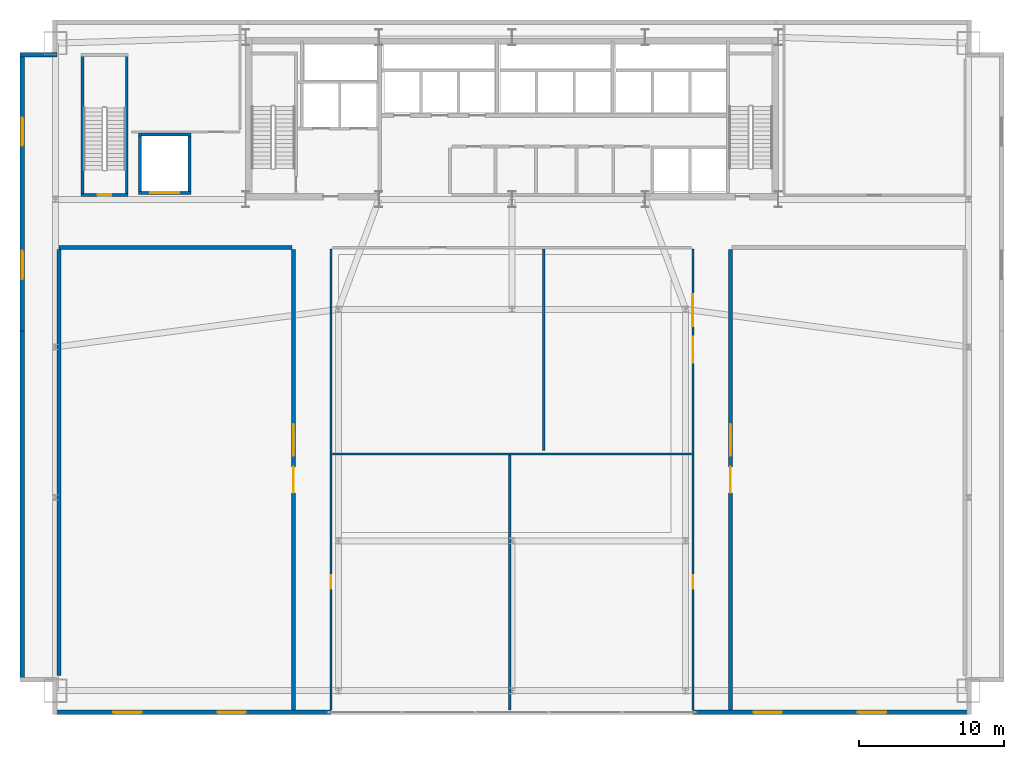
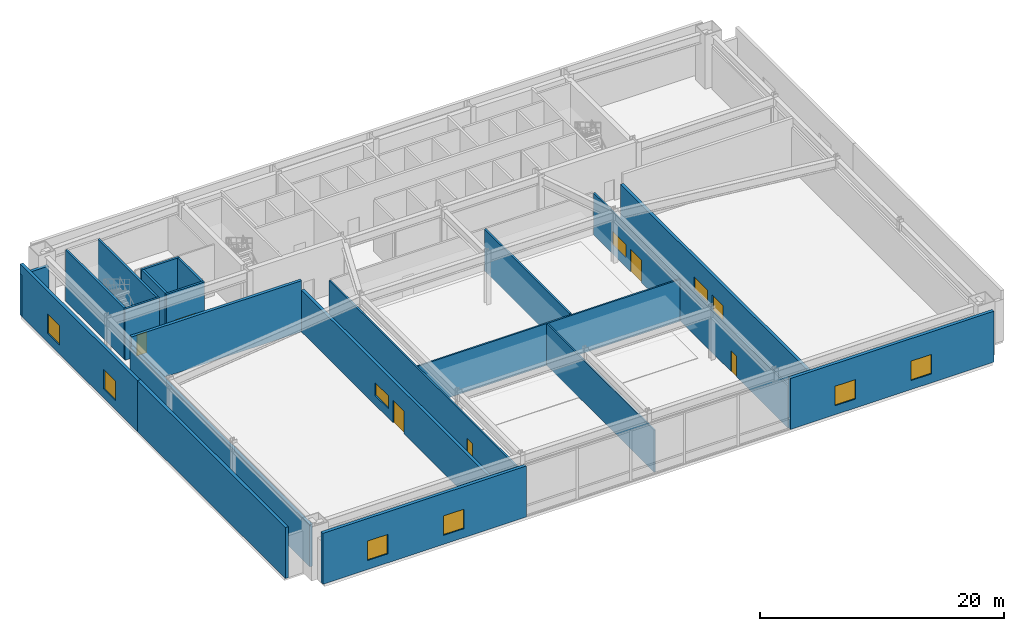
# One storey, part 8 of 12: 21 walls, 9 windows, 7 doors, 16 openings.
"""IFC4 building model written with IfcOpenShell, lengths in metres."""

from ifc_helpers import new_model, si_unit, direction, frame, frame_2d, origin, place, context, subcontext, project, spatial, rectangle, extrude, source, transform, mapped, material, layer, layer_set, type_object, type_shapes, element, fill, save


model = new_model("IFC4")

# Units and contexts
model_context = context("Model", 3, precision=1e-05, world=origin(), true_north=direction((0.0, 1.0)))
body_context = subcontext(model_context, "Body", "Model", "MODEL_VIEW")
ifc_project = project(units=[si_unit("LENGTHUNIT", "METRE"), si_unit("AREAUNIT", "SQUARE_METRE"), si_unit("VOLUMEUNIT", "CUBIC_METRE"), si_unit("PLANEANGLEUNIT", "RADIAN"), si_unit("MASSUNIT", "GRAM", prefix="KILO")], contexts=[model_context])

# Site, building, storey
site_placement = place(None, origin())
site = spatial("IfcSite", under=ifc_project, at=site_placement, CompositionType="ELEMENT")
building_placement = place(site_placement, origin())
building = spatial("IfcBuilding", under=site, at=building_placement, Name="Varnel Quay Broadcast Tower", CompositionType="ELEMENT")
storey_placement = place(building_placement, frame((0.0, 0.0, 11.39990234375)))
storey = spatial("IfcBuildingStorey", under=building, at=storey_placement, Name="L02", CompositionType="ELEMENT", Elevation=11.39990234375)

# Walls
ifc_material_1 = material(Name="Concrete CSA A23.3 C50/60", Category="concrete")
ifc_layer_1 = layer(ifc_material_1, 0.199951171875, Name="Concrete CSA A23.3 C50/60")
ifc_layer_set_1 = layer_set([ifc_layer_1], Name="Concrete CSA A23.3 C50/60")
wall_type_1 = type_object("IfcWallType", Name="Wall_CoreShaftShear200", PredefinedType="SHEAR", material=ifc_layer_set_1)
for number, where, z_axis, x_axis, name in (
    (1, (4.320068359375, 36.0, 0.0), (0.0, 0.0, 1.0), (0.0, 1.0, 0.0), "L02 Podium Stair 3 W Structural Wall"),
    (2, (7.3798828125, 36.0, 0.0), (0.0, 0.0, 1.0), (0.0, 1.0, 0.0), "L02 Podium Stair 3 E Structural Wall"),
):
    element("IfcWall", number, at=place(storey_placement, frame(where, z_axis=z_axis, x_axis=x_axis)), inside=storey, type_object=wall_type_1, Name=name, PredefinedType="SHEAR", context=body_context, shape_type="SweptSolid", body=[
        extrude(rectangle(XDim=9.60009765625, YDim=0.199951171875, at=frame_2d((4.800048828125, 0.0))), origin(), (0.0, 0.0, 1.0), 5.1201171875),
    ])

# Wall, opening, door
wall_1_placement = place(storey_placement, frame((4.219970703125, 35.919921875, 0.0), z_axis=(0.0, 0.0, 1.0), x_axis=(1.0, 0.0, 0.0)))
wall_1 = element("IfcWall", 3, at=wall_1_placement, inside=storey, type_object=wall_type_1, Name="L02 Podium Stair 3 South Structural Wall", PredefinedType="SHEAR", context=body_context, shape_type="SweptSolid", body=[
    extrude(rectangle(XDim=3.260009765625, YDim=0.199951171875, at=frame_2d((1.6298828125, 0.0))), origin(), (0.0, 0.0, 1.0), 5.1201171875),
])
opening_1_placement = place(wall_1_placement, frame((1.14990234375, 0.0, 0.0)))
opening_1 = element("IfcOpeningElement", 4, at=opening_1_placement, cuts=wall_1, Name="Opening D-L02-S3", PredefinedType="OPENING", context=body_context, shape_type="SweptSolid", body=[
    extrude(rectangle(XDim=0.949951171875, YDim=2.10009765625, at=frame_2d((0.47509765625, 1.050048828125))), frame((0.0, 0.10986328125, 0.0), z_axis=(0.0, -1.0, 0.0), x_axis=(1.0, 0.0, 0.0)), (0.0, 0.0, 1.0), 0.219970703125),
])
ifc_material_2 = material(Name="Insulated Fire-Rated Hollow Steel Door", Category="steel")
door_type_1 = type_object("IfcDoorType", Name="Door_FireStair950", OperationType="NOTDEFINED", PredefinedType="DOOR", material=ifc_material_2)
shared_shape_1 = source(origin(), body_context, "Body", "SweptSolid", [
    extrude(rectangle(XDim=0.949951171875, YDim=2.10009765625, at=frame_2d((0.47509765625, 1.050048828125))), frame((0.0, 0.02490234375, 0.0), z_axis=(0.0, -1.0, 0.0), x_axis=(1.0, 0.0, 0.0)), (0.0, 0.0, 1.0), 0.050048828125),
])
type_shapes(door_type_1, [shared_shape_1])
door_1_placement = place(opening_1_placement, origin())
door_1 = element("IfcDoor", 5, at=door_1_placement, inside=storey, type_object=door_type_1, Name="L02 Podium Stair 3 Fire Door", OperationType="SINGLE_SWING_LEFT", OverallHeight=2.10009765625, OverallWidth=0.949951171875, PredefinedType="DOOR", context=body_context, shape_type="MappedRepresentation", body=[
    mapped(shared_shape_1, transform((0.0, 0.0, 0.0), x_axis=(1.0, 0.0, 0.0), y_axis=(0.0, 1.0, 0.0), z_axis=(0.0, 0.0, 1.0), scale=1.0)),
])
fill(opening_1, door_1)

# Walls
for number, where, z_axis, x_axis, name in (
    (6, (8.300048828125, 36.14990234375, 0.0), (0.0, 0.0, 1.0), (0.0, 1.0, 0.0), "L02 Freight Lift Shaft W Wall"),
    (7, (11.699951171875, 36.14990234375, 0.0), (0.0, 0.0, 1.0), (0.0, 1.0, 0.0), "L02 Freight Lift Shaft E Wall"),
):
    element("IfcWall", number, at=place(storey_placement, frame(where, z_axis=z_axis, x_axis=x_axis)), inside=storey, type_object=wall_type_1, Name=name, PredefinedType="SHEAR", context=body_context, shape_type="SweptSolid", body=[
        extrude(rectangle(XDim=3.85009765625, YDim=0.199951171875, at=frame_2d((1.925048828125, 0.0))), origin(), (0.0, 0.0, 1.0), 5.1201171875),
    ])
wall_2_placement = place(storey_placement, frame((8.199951171875, 40.10009765625, 0.0), z_axis=(0.0, 0.0, 1.0), x_axis=(1.0, 0.0, 0.0)))
element("IfcWall", 8, at=wall_2_placement, inside=storey, type_object=wall_type_1, Name="L02 Freight Lift Shaft N Wall", PredefinedType="SHEAR", context=body_context, shape_type="SweptSolid", body=[
    extrude(rectangle(XDim=3.60009765625, YDim=0.199951171875, at=frame_2d((1.800048828125, 0.0))), origin(), (0.0, 0.0, 1.0), 5.1201171875),
])

# Wall, opening, door
wall_3_placement = place(storey_placement, frame((8.199951171875, 36.050048828125, 0.0), z_axis=(0.0, 0.0, 1.0), x_axis=(1.0, 0.0, 0.0)))
wall_3 = element("IfcWall", 9, at=wall_3_placement, inside=storey, type_object=wall_type_1, Name="L02 Studio Freight Lift Front Wall", PredefinedType="SHEAR", context=body_context, shape_type="SweptSolid", body=[
    extrude(rectangle(XDim=3.60009765625, YDim=0.199951171875, at=frame_2d((1.800048828125, 0.0))), origin(), (0.0, 0.0, 1.0), 5.1201171875),
])
opening_2_placement = place(wall_3_placement, frame((0.800048828125, 0.0, 0.0)))
opening_2 = element("IfcOpeningElement", 10, at=opening_2_placement, cuts=wall_3, Name="Opening LD-L02-BF1", PredefinedType="OPENING", context=body_context, shape_type="SweptSolid", body=[
    extrude(rectangle(XDim=2.0, YDim=2.280029296875, at=frame_2d((1.0, 1.14013671875))), frame((0.0, 0.10986328125, 0.0), z_axis=(0.0, -1.0, 0.0), x_axis=(1.0, 0.0, 0.0)), (0.0, 0.0, 1.0), 0.219970703125),
])
ifc_material_3 = material(Name="Brushed Bronze-Stainless Lift Car & Sliding Doors", Category="steel")
door_type_2 = type_object("IfcDoorType", Name="Door_FreightLanding2000", OperationType="DOUBLE_DOOR_SLIDING", PredefinedType="DOOR", material=ifc_material_3)
shared_shape_2 = source(origin(), body_context, "Body", "SweptSolid", [
    extrude(rectangle(XDim=2.0, YDim=2.280029296875, at=frame_2d((1.0, 1.14013671875))), frame((0.0, 0.02490234375, 0.0), z_axis=(0.0, -1.0, 0.0), x_axis=(1.0, 0.0, 0.0)), (0.0, 0.0, 1.0), 0.050048828125),
])
type_shapes(door_type_2, [shared_shape_2])
door_2_placement = place(opening_2_placement, frame((2.0, 0.0, 0.0), z_axis=(0.0, 0.0, 1.0), x_axis=(-1.0, 0.0, 0.0)))
door_2 = element("IfcDoor", 11, at=door_2_placement, inside=storey, type_object=door_type_2, Name="L02 Freight Lift BF-01 Landing Door", OperationType="DOUBLE_DOOR_SLIDING", OverallHeight=2.280029296875, OverallWidth=2.0, PredefinedType="DOOR", context=body_context, shape_type="MappedRepresentation", body=[
    mapped(shared_shape_2, transform((0.0, 0.0, 0.0), x_axis=(1.0, 0.0, 0.0), y_axis=(0.0, 1.0, 0.0), z_axis=(0.0, 0.0, 1.0), scale=1.0)),
])
fill(opening_2, door_2)

# Wall, openings, windows
ifc_material_4 = material(Name="Precast Architectural Concrete C40/50", Category="concrete")
ifc_layer_2 = layer(ifc_material_4, 0.300048828125, Name="Precast Architectural Concrete C40/50")
ifc_layer_set_2 = layer_set([ifc_layer_2], Name="Precast Architectural Concrete C40/50")
wall_type_2 = type_object("IfcWallType", Name="Wall_ExtPodium300", PredefinedType="SOLIDWALL", material=ifc_layer_set_2)
wall_4_placement = place(storey_placement, frame((2.25, 0.14990234375, 0.0), z_axis=(0.0, 0.0, 1.0), x_axis=(1.0, 0.0, 0.0)))
wall_4 = element("IfcWall", 12, at=wall_4_placement, inside=storey, type_object=wall_type_2, Name="L02 Podium Acoustic Exterior Wall SW", PredefinedType="SOLIDWALL", context=body_context, shape_type="SweptSolid", body=[
    extrude(rectangle(XDim=19.25, YDim=0.300048828125, at=frame_2d((9.625, 0.0))), origin(), (0.0, 0.0, 1.0), 5.10009765625),
])
opening_3_placement = place(wall_4_placement, frame((4.199951171875, 0.0, 0.89990234375)))
opening_3 = element("IfcOpeningElement", 13, at=opening_3_placement, cuts=wall_4, Name="Opening W-04", PredefinedType="OPENING", context=body_context, shape_type="SweptSolid", body=[
    extrude(rectangle(XDim=1.949951171875, YDim=1.949951171875, at=frame_2d((0.97509765625, 0.97509765625))), frame((0.0, 0.16015625, 0.0), z_axis=(0.0, -1.0, 0.0), x_axis=(1.0, 0.0, 0.0)), (0.0, 0.0, 1.0), 0.320068359375),
])
opening_4_placement = place(wall_4_placement, frame((11.39990234375, 0.0, 0.89990234375)))
opening_4 = element("IfcOpeningElement", 14, at=opening_4_placement, cuts=wall_4, Name="Opening W-04", PredefinedType="OPENING", context=body_context, shape_type="SweptSolid", body=[
    extrude(rectangle(XDim=1.949951171875, YDim=1.949951171875, at=frame_2d((0.97509765625, 0.97509765625))), frame((0.0, 0.16015625, 0.0), z_axis=(0.0, -1.0, 0.0), x_axis=(1.0, 0.0, 0.0)), (0.0, 0.0, 1.0), 0.320068359375),
])
ifc_material_5 = material(Name="Triple-Glazed Bronze Low-E Architectural Glass", Category="glass")
window_type_1 = type_object("IfcWindowType", Name="Win_PodiumControl1950", PartitioningType="SINGLE_PANEL", PredefinedType="WINDOW", material=ifc_material_5)
shared_shape_3 = source(origin(), body_context, "Body", "SweptSolid", [
    extrude(rectangle(XDim=1.949951171875, YDim=1.949951171875, at=frame_2d((0.97509765625, 0.97509765625))), frame((0.0, 0.030029296875, 0.0), z_axis=(0.0, -1.0, 0.0), x_axis=(1.0, 0.0, 0.0)), (0.0, 0.0, 1.0), 0.06005859375),
])
type_shapes(window_type_1, [shared_shape_3])
window_1_placement = place(opening_3_placement, origin())
window_1 = element("IfcWindow", 15, at=window_1_placement, inside=storey, type_object=window_type_1, Name="L02 Podium Window SW-1", OverallHeight=1.949951171875, OverallWidth=1.949951171875, PartitioningType="SINGLE_PANEL", PredefinedType="WINDOW", context=body_context, shape_type="MappedRepresentation", body=[
    mapped(shared_shape_3, transform((0.0, 0.0, 0.0), x_axis=(1.0, 0.0, 0.0), y_axis=(0.0, 1.0, 0.0), z_axis=(0.0, 0.0, 1.0), scale=1.0)),
])
fill(opening_3, window_1)
window_2_placement = place(opening_4_placement, origin())
window_2 = element("IfcWindow", 16, at=window_2_placement, inside=storey, type_object=window_type_1, Name="L02 Podium Window SW-2", OverallHeight=1.949951171875, OverallWidth=1.949951171875, PartitioningType="SINGLE_PANEL", PredefinedType="WINDOW", context=body_context, shape_type="MappedRepresentation", body=[
    mapped(shared_shape_3, transform((0.0, 0.0, 0.0), x_axis=(1.0, 0.0, 0.0), y_axis=(0.0, 1.0, 0.0), z_axis=(0.0, 0.0, 1.0), scale=1.0)),
])
fill(opening_4, window_2)

wall_5_placement = place(storey_placement, frame((46.5, 0.14990234375, 0.0), z_axis=(0.0, 0.0, 1.0), x_axis=(1.0, 0.0, 0.0)))
wall_5 = element("IfcWall", 17, at=wall_5_placement, inside=storey, type_object=wall_type_2, Name="L02 Podium Acoustic Exterior Wall SE", PredefinedType="SOLIDWALL", context=body_context, shape_type="SweptSolid", body=[
    extrude(rectangle(XDim=19.25, YDim=0.300048828125, at=frame_2d((9.625, 0.0))), origin(), (0.0, 0.0, 1.0), 5.10009765625),
])
opening_5_placement = place(wall_5_placement, frame((4.199951171875, 0.0, 0.89990234375)))
opening_5 = element("IfcOpeningElement", 18, at=opening_5_placement, cuts=wall_5, Name="Opening W-04", PredefinedType="OPENING", context=body_context, shape_type="SweptSolid", body=[
    extrude(rectangle(XDim=1.949951171875, YDim=1.949951171875, at=frame_2d((0.97509765625, 0.97509765625))), frame((0.0, 0.16015625, 0.0), z_axis=(0.0, -1.0, 0.0), x_axis=(1.0, 0.0, 0.0)), (0.0, 0.0, 1.0), 0.320068359375),
])
opening_6_placement = place(wall_5_placement, frame((11.39990234375, 0.0, 0.89990234375)))
opening_6 = element("IfcOpeningElement", 19, at=opening_6_placement, cuts=wall_5, Name="Opening W-04", PredefinedType="OPENING", context=body_context, shape_type="SweptSolid", body=[
    extrude(rectangle(XDim=1.949951171875, YDim=1.949951171875, at=frame_2d((0.97509765625, 0.97509765625))), frame((0.0, 0.16015625, 0.0), z_axis=(0.0, -1.0, 0.0), x_axis=(1.0, 0.0, 0.0)), (0.0, 0.0, 1.0), 0.320068359375),
])
window_3_placement = place(opening_5_placement, origin())
window_3 = element("IfcWindow", 20, at=window_3_placement, inside=storey, type_object=window_type_1, Name="L02 Podium Window SE-1", OverallHeight=1.949951171875, OverallWidth=1.949951171875, PartitioningType="SINGLE_PANEL", PredefinedType="WINDOW", context=body_context, shape_type="MappedRepresentation", body=[
    mapped(shared_shape_3, transform((0.0, 0.0, 0.0), x_axis=(1.0, 0.0, 0.0), y_axis=(0.0, 1.0, 0.0), z_axis=(0.0, 0.0, 1.0), scale=1.0)),
])
fill(opening_5, window_3)
window_4_placement = place(opening_6_placement, origin())
window_4 = element("IfcWindow", 21, at=window_4_placement, inside=storey, type_object=window_type_1, Name="L02 Podium Window SE-2", OverallHeight=1.949951171875, OverallWidth=1.949951171875, PartitioningType="SINGLE_PANEL", PredefinedType="WINDOW", context=body_context, shape_type="MappedRepresentation", body=[
    mapped(shared_shape_3, transform((0.0, 0.0, 0.0), x_axis=(1.0, 0.0, 0.0), y_axis=(0.0, 1.0, 0.0), z_axis=(0.0, 0.0, 1.0), scale=1.0)),
])
fill(opening_6, window_4)

# Wall
wall_6_placement = place(storey_placement, frame((0.14990234375, 2.25, 0.0), z_axis=(0.0, 0.0, 1.0), x_axis=(0.0, 1.0, 0.0)))
element("IfcWall", 22, at=wall_6_placement, inside=storey, type_object=wall_type_2, Name="L02 Podium Acoustic Exterior Wall W1", PredefinedType="SOLIDWALL", context=body_context, shape_type="SweptSolid", body=[
    extrude(rectangle(XDim=24.35009765625, YDim=0.300048828125, at=frame_2d((12.175048828125, 0.0))), origin(), (0.0, 0.0, 1.0), 5.10009765625),
])

# Wall, openings, windows
wall_7_placement = place(storey_placement, frame((0.14990234375, 26.5, 0.0), z_axis=(0.0, 0.0, 1.0), x_axis=(0.0, 1.0, 0.0)))
wall_7 = element("IfcWall", 23, at=wall_7_placement, inside=storey, type_object=wall_type_2, Name="L02 Podium Acoustic Exterior Wall W2", PredefinedType="SOLIDWALL", context=body_context, shape_type="SweptSolid", body=[
    extrude(rectangle(XDim=19.25, YDim=0.300048828125, at=frame_2d((9.625, 0.0))), origin(), (0.0, 0.0, 1.0), 5.10009765625),
])
opening_7_placement = place(wall_7_placement, frame((3.60009765625, 0.0, 0.89990234375)))
opening_7 = element("IfcOpeningElement", 24, at=opening_7_placement, cuts=wall_7, Name="Opening W-04", PredefinedType="OPENING", context=body_context, shape_type="SweptSolid", body=[
    extrude(rectangle(XDim=1.949951171875, YDim=1.949951171875, at=frame_2d((0.97509765625, 0.97509765625))), frame((0.0, 0.16015625, 0.0), z_axis=(0.0, -1.0, 0.0), x_axis=(1.0, 0.0, 0.0)), (0.0, 0.0, 1.0), 0.320068359375),
])
opening_8_placement = place(wall_7_placement, frame((12.800048828125, 0.0, 0.89990234375)))
opening_8 = element("IfcOpeningElement", 25, at=opening_8_placement, cuts=wall_7, Name="Opening W-04", PredefinedType="OPENING", context=body_context, shape_type="SweptSolid", body=[
    extrude(rectangle(XDim=1.949951171875, YDim=1.949951171875, at=frame_2d((0.97509765625, 0.97509765625))), frame((0.0, 0.16015625, 0.0), z_axis=(0.0, -1.0, 0.0), x_axis=(1.0, 0.0, 0.0)), (0.0, 0.0, 1.0), 0.320068359375),
])
window_5_placement = place(opening_7_placement, origin())
window_5 = element("IfcWindow", 26, at=window_5_placement, inside=storey, type_object=window_type_1, Name="L02 Podium Window W2-1", OverallHeight=1.949951171875, OverallWidth=1.949951171875, PartitioningType="SINGLE_PANEL", PredefinedType="WINDOW", context=body_context, shape_type="MappedRepresentation", body=[
    mapped(shared_shape_3, transform((0.0, 0.0, 0.0), x_axis=(1.0, 0.0, 0.0), y_axis=(0.0, 1.0, 0.0), z_axis=(0.0, 0.0, 1.0), scale=1.0)),
])
fill(opening_7, window_5)
window_6_placement = place(opening_8_placement, origin())
window_6 = element("IfcWindow", 27, at=window_6_placement, inside=storey, type_object=window_type_1, Name="L02 Podium Window W2-2", OverallHeight=1.949951171875, OverallWidth=1.949951171875, PartitioningType="SINGLE_PANEL", PredefinedType="WINDOW", context=body_context, shape_type="MappedRepresentation", body=[
    mapped(shared_shape_3, transform((0.0, 0.0, 0.0), x_axis=(1.0, 0.0, 0.0), y_axis=(0.0, 1.0, 0.0), z_axis=(0.0, 0.0, 1.0), scale=1.0)),
])
fill(opening_8, window_6)

# Walls
wall_8_placement = place(storey_placement, frame((0.0, 45.60009765625, 0.0), z_axis=(0.0, 0.0, 1.0), x_axis=(1.0, 0.0, 0.0)))
element("IfcWall", 28, at=wall_8_placement, inside=storey, type_object=wall_type_2, Name="L02 Podium Acoustic Exterior Wall NNW1", PredefinedType="SOLIDWALL", context=body_context, shape_type="SweptSolid", body=[
    extrude(rectangle(XDim=2.550048828125, YDim=0.300048828125, at=frame_2d((1.27490234375, 0.0))), origin(), (0.0, 0.0, 1.0), 4.18310546875),
])
ifc_material_6 = material(Name="Steel-Stud Fire-Rated Acoustic Gypsum Partition Assembly", Category="steel")
ifc_layer_3 = layer(ifc_material_6, 0.14990234375, Name="Steel-Stud Fire-Rated Acoustic Gypsum Partition Assembly")
ifc_layer_set_3 = layer_set([ifc_layer_3], Name="Steel-Stud Fire-Rated Acoustic Gypsum Partition Assembly")
wall_type_3 = type_object("IfcWallType", Name="Wall_Partition150", PredefinedType="PARTITIONING", material=ifc_layer_set_3)
wall_9_placement = place(storey_placement, frame((33.85009765625, 0.31005859375, 0.0), z_axis=(0.0, 0.0, 1.0), x_axis=(0.0, 1.0, 0.0)))
element("IfcWall", 29, at=wall_9_placement, inside=storey, type_object=wall_type_3, Name="L02 Master Broadcast Control Office Partition 14", PredefinedType="PARTITIONING", context=body_context, shape_type="SweptSolid", body=[
    extrude(rectangle(XDim=17.614990234375, YDim=0.14990234375, at=frame_2d((8.8076171875, 0.0))), origin(), (0.0, 0.0, 1.0), 4.18310546875),
])
wall_10_placement = place(storey_placement, frame((21.60009765625, 18.0, 0.0), z_axis=(0.0, 0.0, 1.0), x_axis=(1.0, 0.0, 0.0)))
element("IfcWall", 30, at=wall_10_placement, inside=storey, type_object=wall_type_3, Name="L02 Master Broadcast Control Office Partition 15", PredefinedType="PARTITIONING", context=body_context, shape_type="SweptSolid", body=[
    extrude(rectangle(XDim=24.7998046875, YDim=0.14990234375, at=frame_2d((12.39990234375, 0.0))), origin(), (0.0, 0.0, 1.0), 4.18310546875),
])

# Wall, opening, door
wall_11_placement = place(storey_placement, frame((21.5, 0.31005859375, 0.0), z_axis=(0.0, 0.0, 1.0), x_axis=(0.0, 1.0, 0.0)))
wall_11 = element("IfcWall", 31, at=wall_11_placement, inside=storey, type_object=wall_type_3, Name="L02 Master Broadcast Control Office Partition 16", PredefinedType="PARTITIONING", context=body_context, shape_type="SweptSolid", body=[
    extrude(rectangle(XDim=31.8779296875, YDim=0.14990234375, at=frame_2d((15.93896484375, 0.0))), origin(), (0.0, 0.0, 1.0), 4.18310546875),
])
opening_9_placement = place(wall_11_placement, frame((8.385009765625, 0.0, 0.0)))
opening_9 = element("IfcOpeningElement", 32, at=opening_9_placement, cuts=wall_11, Name="Opening D-L02-08", PredefinedType="OPENING", context=body_context, shape_type="SweptSolid", body=[
    extrude(rectangle(XDim=0.919921875, YDim=2.080078125, at=frame_2d((0.4599609375, 1.0400390625))), frame((0.0, 0.0849609375, 0.0), z_axis=(0.0, -1.0, 0.0), x_axis=(1.0, 0.0, 0.0)), (0.0, 0.0, 1.0), 0.169921875),
])
ifc_material_7 = material(Name="Solid-Core Fire-Rated Acoustic Oak Veneer Door", Category="wood")
door_type_3 = type_object("IfcDoorType", Name="Door_Office920", OperationType="NOTDEFINED", PredefinedType="DOOR", material=ifc_material_7)
shared_shape_4 = source(origin(), body_context, "Body", "SweptSolid", [
    extrude(rectangle(XDim=0.919921875, YDim=2.080078125, at=frame_2d((0.4599609375, 1.0400390625))), frame((0.0, 0.02490234375, 0.0), z_axis=(0.0, -1.0, 0.0), x_axis=(1.0, 0.0, 0.0)), (0.0, 0.0, 1.0), 0.050048828125),
])
type_shapes(door_type_3, [shared_shape_4])
door_3_placement = place(opening_9_placement, frame((0.919921875, 0.0, 0.0), z_axis=(0.0, 0.0, 1.0), x_axis=(-1.0, 0.0, 0.0)))
door_3 = element("IfcDoor", 33, at=door_3_placement, inside=storey, type_object=door_type_3, Name="L02 Master Broadcast Control Office Door D-L02-08", OperationType="SINGLE_SWING_LEFT", OverallHeight=2.080078125, OverallWidth=0.919921875, PredefinedType="DOOR", context=body_context, shape_type="MappedRepresentation", body=[
    mapped(shared_shape_4, transform((0.0, 0.0, 0.0), x_axis=(1.0, 0.0, 0.0), y_axis=(0.0, 1.0, 0.0), z_axis=(0.0, 0.0, 1.0), scale=1.0)),
])
fill(opening_9, door_3)

# Wall, openings, doors, window
wall_12_placement = place(storey_placement, frame((46.5, 0.31005859375, 0.0), z_axis=(0.0, 0.0, 1.0), x_axis=(0.0, 1.0, 0.0)))
wall_12 = element("IfcWall", 34, at=wall_12_placement, inside=storey, type_object=wall_type_3, Name="L02 Central Satellite Ingest Office Partition 17", PredefinedType="PARTITIONING", context=body_context, shape_type="SweptSolid", body=[
    extrude(rectangle(XDim=31.8779296875, YDim=0.14990234375, at=frame_2d((15.93896484375, 0.0))), origin(), (0.0, 0.0, 1.0), 4.18310546875),
])
opening_10_placement = place(wall_12_placement, frame((8.385009765625, 0.0, 0.0)))
opening_10 = element("IfcOpeningElement", 35, at=opening_10_placement, cuts=wall_12, Name="Opening D-L02-09", PredefinedType="OPENING", context=body_context, shape_type="SweptSolid", body=[
    extrude(rectangle(XDim=0.919921875, YDim=2.080078125, at=frame_2d((0.4599609375, 1.0400390625))), frame((0.0, 0.0849609375, 0.0), z_axis=(0.0, -1.0, 0.0), x_axis=(1.0, 0.0, 0.0)), (0.0, 0.0, 1.0), 0.169921875),
])
opening_11_placement = place(wall_12_placement, frame((23.989990234375, 0.0, 0.0)))
opening_11 = element("IfcOpeningElement", 36, at=opening_11_placement, cuts=wall_12, Name="Opening D-L02-11", PredefinedType="OPENING", context=body_context, shape_type="SweptSolid", body=[
    extrude(rectangle(XDim=1.800048828125, YDim=2.25, at=frame_2d((0.89990234375, 1.125))), frame((0.0, 0.0849609375, 0.0), z_axis=(0.0, -1.0, 0.0), x_axis=(1.0, 0.0, 0.0)), (0.0, 0.0, 1.0), 0.169921875),
])
opening_12_placement = place(wall_12_placement, frame((26.5400390625, 0.0, 0.949951171875)))
opening_12 = element("IfcOpeningElement", 37, at=opening_12_placement, cuts=wall_12, Name="Opening W-INT01", PredefinedType="OPENING", context=body_context, shape_type="SweptSolid", body=[
    extrude(rectangle(XDim=2.199951171875, YDim=1.300048828125, at=frame_2d((1.10009765625, 0.64990234375))), frame((0.0, 0.0849609375, 0.0), z_axis=(0.0, -1.0, 0.0), x_axis=(1.0, 0.0, 0.0)), (0.0, 0.0, 1.0), 0.169921875),
])
door_4_placement = place(opening_10_placement, origin())
door_4 = element("IfcDoor", 38, at=door_4_placement, inside=storey, type_object=door_type_3, Name="L02 Central Satellite Ingest Office Door D-L02-09", OperationType="SINGLE_SWING_RIGHT", OverallHeight=2.080078125, OverallWidth=0.919921875, PredefinedType="DOOR", context=body_context, shape_type="MappedRepresentation", body=[
    mapped(shared_shape_4, transform((0.0, 0.0, 0.0), x_axis=(1.0, 0.0, 0.0), y_axis=(0.0, 1.0, 0.0), z_axis=(0.0, 0.0, 1.0), scale=1.0)),
])
fill(opening_10, door_4)
door_type_4 = type_object("IfcDoorType", Name="Door_StudioSound1800", OperationType="DOUBLE_DOOR_SINGLE_SWING", PredefinedType="DOOR", material=ifc_material_2)
shared_shape_5 = source(origin(), body_context, "Body", "SweptSolid", [
    extrude(rectangle(XDim=1.800048828125, YDim=2.25, at=frame_2d((0.89990234375, 1.125))), frame((0.0, 0.02490234375, 0.0), z_axis=(0.0, -1.0, 0.0), x_axis=(1.0, 0.0, 0.0)), (0.0, 0.0, 1.0), 0.050048828125),
])
type_shapes(door_type_4, [shared_shape_5])
door_5_placement = place(opening_11_placement, origin())
door_5 = element("IfcDoor", 39, at=door_5_placement, inside=storey, type_object=door_type_4, Name="L02 Studio Crew Dining Kitchen Door D-L02-11", OperationType="DOUBLE_DOOR_SINGLE_SWING", OverallHeight=2.25, OverallWidth=1.800048828125, PredefinedType="DOOR", context=body_context, shape_type="MappedRepresentation", body=[
    mapped(shared_shape_5, transform((0.0, 0.0, 0.0), x_axis=(1.0, 0.0, 0.0), y_axis=(0.0, 1.0, 0.0), z_axis=(0.0, 0.0, 1.0), scale=1.0)),
])
fill(opening_11, door_5)
ifc_material_8 = material(Name="Acoustic Laminated Control Glass", Category="glass")
window_type_2 = type_object("IfcWindowType", Name="Win_IntControlGallery", PartitioningType="SINGLE_PANEL", PredefinedType="WINDOW", material=ifc_material_8)
shared_shape_6 = source(origin(), body_context, "Body", "SweptSolid", [
    extrude(rectangle(XDim=2.199951171875, YDim=1.300048828125, at=frame_2d((1.10009765625, 0.64990234375))), frame((0.0, 0.030029296875, 0.0), z_axis=(0.0, -1.0, 0.0), x_axis=(1.0, 0.0, 0.0)), (0.0, 0.0, 1.0), 0.06005859375),
])
type_shapes(window_type_2, [shared_shape_6])
window_7_placement = place(opening_12_placement, origin())
window_7 = element("IfcWindow", 40, at=window_7_placement, inside=storey, type_object=window_type_2, Name="L02 Studio Control Observation Window 11", OverallHeight=1.300048828125, OverallWidth=2.199951171875, PartitioningType="SINGLE_PANEL", PredefinedType="WINDOW", context=body_context, shape_type="MappedRepresentation", body=[
    mapped(shared_shape_6, transform((0.0, 0.0, 0.0), x_axis=(1.0, 0.0, 0.0), y_axis=(0.0, 1.0, 0.0), z_axis=(0.0, 0.0, 1.0), scale=1.0)),
])
fill(opening_12, window_7)

# Wall
ifc_layer_4 = layer(ifc_material_6, 0.175048828125, Name="Steel-Stud Fire-Rated Acoustic Gypsum Partition Assembly")
ifc_layer_set_4 = layer_set([ifc_layer_4], Name="Steel-Stud Fire-Rated Acoustic Gypsum Partition Assembly")
wall_type_4 = type_object("IfcWallType", Name="Wall_Partition175", PredefinedType="PARTITIONING", material=ifc_layer_set_4)
wall_13_placement = place(storey_placement, frame((36.199951171875, 18.25, 0.0), z_axis=(0.0, 0.0, 1.0), x_axis=(0.0, 1.0, 0.0)))
element("IfcWall", 41, at=wall_13_placement, inside=storey, type_object=wall_type_4, Name="L02 Production Scheduling Conference Room Partition 18", PredefinedType="PARTITIONING", context=body_context, shape_type="SweptSolid", body=[
    extrude(rectangle(XDim=13.93798828125, YDim=0.175048828125, at=frame_2d((6.968994140625, 0.0))), origin(), (0.0, 0.0, 1.0), 4.18310546875),
])

# Wall, openings, door, window
ifc_material_9 = material(Name="Double-Leaf Isolated Acoustic Studio Wall Concrete C40/50", Category="concrete")
ifc_layer_5 = layer(ifc_material_9, 0.280029296875, Name="Double-Leaf Isolated Acoustic Studio Wall Concrete C40/50")
ifc_layer_set_5 = layer_set([ifc_layer_5], Name="Double-Leaf Isolated Acoustic Studio Wall Concrete C40/50")
wall_type_5 = type_object("IfcWallType", Name="Wall_StudioAcoustic280", PredefinedType="SOLIDWALL", material=ifc_layer_set_5)
wall_14_placement = place(storey_placement, frame((18.89990234375, 0.31005859375, 0.0), z_axis=(0.0, 0.0, 1.0), x_axis=(0.0, 1.0, 0.0)))
wall_14 = element("IfcWall", 42, at=wall_14_placement, inside=storey, type_object=wall_type_5, Name="L02 West Documentary Production Studio Partition 8", PredefinedType="SOLIDWALL", context=body_context, shape_type="SweptSolid", body=[
    extrude(rectangle(XDim=31.824951171875, YDim=0.280029296875, at=frame_2d((15.91259765625, 0.0))), origin(), (0.0, 0.0, 1.0), 4.18310546875),
])
opening_13_placement = place(wall_14_placement, frame((15.011962890625, 0.0, 0.0)))
opening_13 = element("IfcOpeningElement", 43, at=opening_13_placement, cuts=wall_14, Name="Opening D-L02-06", PredefinedType="OPENING", context=body_context, shape_type="SweptSolid", body=[
    extrude(rectangle(XDim=1.800048828125, YDim=2.25, at=frame_2d((0.89990234375, 1.125))), frame((0.0, 0.14990234375, 0.0), z_axis=(0.0, -1.0, 0.0), x_axis=(1.0, 0.0, 0.0)), (0.0, 0.0, 1.0), 0.300048828125),
])
opening_14_placement = place(wall_14_placement, frame((17.56201171875, 0.0, 0.949951171875)))
opening_14 = element("IfcOpeningElement", 44, at=opening_14_placement, cuts=wall_14, Name="Opening W-INT01", PredefinedType="OPENING", context=body_context, shape_type="SweptSolid", body=[
    extrude(rectangle(XDim=2.199951171875, YDim=1.300048828125, at=frame_2d((1.10009765625, 0.64990234375))), frame((0.0, 0.14990234375, 0.0), z_axis=(0.0, -1.0, 0.0), x_axis=(1.0, 0.0, 0.0)), (0.0, 0.0, 1.0), 0.300048828125),
])
door_6_placement = place(opening_13_placement, origin())
door_6 = element("IfcDoor", 45, at=door_6_placement, inside=storey, type_object=door_type_4, Name="L02 West Documentary Production Studio Door D-L02-06", OperationType="DOUBLE_DOOR_SINGLE_SWING", OverallHeight=2.25, OverallWidth=1.800048828125, PredefinedType="DOOR", context=body_context, shape_type="MappedRepresentation", body=[
    mapped(shared_shape_5, transform((0.0, 0.0, 0.0), x_axis=(1.0, 0.0, 0.0), y_axis=(0.0, 1.0, 0.0), z_axis=(0.0, 0.0, 1.0), scale=1.0)),
])
fill(opening_13, door_6)
window_8_placement = place(opening_14_placement, origin())
window_8 = element("IfcWindow", 46, at=window_8_placement, inside=storey, type_object=window_type_2, Name="L02 Studio Control Observation Window 6", OverallHeight=1.300048828125, OverallWidth=2.199951171875, PartitioningType="SINGLE_PANEL", PredefinedType="WINDOW", context=body_context, shape_type="MappedRepresentation", body=[
    mapped(shared_shape_6, transform((0.0, 0.0, 0.0), x_axis=(1.0, 0.0, 0.0), y_axis=(0.0, 1.0, 0.0), z_axis=(0.0, 0.0, 1.0), scale=1.0)),
])
fill(opening_14, window_8)

# Walls
wall_15_placement = place(storey_placement, frame((2.699951171875, 32.27490234375, 0.0), z_axis=(0.0, 0.0, 1.0), x_axis=(1.0, 0.0, 0.0)))
element("IfcWall", 47, at=wall_15_placement, inside=storey, type_object=wall_type_5, Name="L02 West Documentary Production Studio Partition 9", PredefinedType="SOLIDWALL", context=body_context, shape_type="SweptSolid", body=[
    extrude(rectangle(XDim=16.10009765625, YDim=0.280029296875, at=frame_2d((8.050048828125, 0.0))), origin(), (0.0, 0.0, 1.0), 5.10009765625),
])
wall_16_placement = place(storey_placement, frame((2.699951171875, 2.699951171875, 0.0), z_axis=(0.0, 0.0, 1.0), x_axis=(0.0, 1.0, 0.0)))
element("IfcWall", 48, at=wall_16_placement, inside=storey, type_object=wall_type_5, Name="L02 West Documentary Production Studio Partition 10", PredefinedType="SOLIDWALL", context=body_context, shape_type="SweptSolid", body=[
    extrude(rectangle(XDim=29.43505859375, YDim=0.280029296875, at=frame_2d((14.717529296875, 0.0))), origin(), (0.0, 0.0, 1.0), 4.18310546875),
])

# Wall, openings, door, window
wall_17_placement = place(storey_placement, frame((49.10009765625, 0.31005859375, 0.0), z_axis=(0.0, 0.0, 1.0), x_axis=(0.0, 1.0, 0.0)))
wall_17 = element("IfcWall", 49, at=wall_17_placement, inside=storey, type_object=wall_type_5, Name="L02 East Drama Production Studio Partition 13", PredefinedType="SOLIDWALL", context=body_context, shape_type="SweptSolid", body=[
    extrude(rectangle(XDim=31.824951171875, YDim=0.280029296875, at=frame_2d((15.91259765625, 0.0))), origin(), (0.0, 0.0, 1.0), 4.18310546875),
])
opening_15_placement = place(wall_17_placement, frame((15.011962890625, 0.0, 0.0)))
opening_15 = element("IfcOpeningElement", 50, at=opening_15_placement, cuts=wall_17, Name="Opening D-L02-07", PredefinedType="OPENING", context=body_context, shape_type="SweptSolid", body=[
    extrude(rectangle(XDim=1.800048828125, YDim=2.25, at=frame_2d((0.89990234375, 1.125))), frame((0.0, 0.14990234375, 0.0), z_axis=(0.0, -1.0, 0.0), x_axis=(1.0, 0.0, 0.0)), (0.0, 0.0, 1.0), 0.300048828125),
])
opening_16_placement = place(wall_17_placement, frame((17.56201171875, 0.0, 0.949951171875)))
opening_16 = element("IfcOpeningElement", 51, at=opening_16_placement, cuts=wall_17, Name="Opening W-INT01", PredefinedType="OPENING", context=body_context, shape_type="SweptSolid", body=[
    extrude(rectangle(XDim=2.199951171875, YDim=1.300048828125, at=frame_2d((1.10009765625, 0.64990234375))), frame((0.0, 0.14990234375, 0.0), z_axis=(0.0, -1.0, 0.0), x_axis=(1.0, 0.0, 0.0)), (0.0, 0.0, 1.0), 0.300048828125),
])
door_7_placement = place(opening_15_placement, frame((1.800048828125, 0.0, 0.0), z_axis=(0.0, 0.0, 1.0), x_axis=(-1.0, 0.0, 0.0)))
door_7 = element("IfcDoor", 52, at=door_7_placement, inside=storey, type_object=door_type_4, Name="L02 East Drama Production Studio Door D-L02-07", OperationType="DOUBLE_DOOR_SINGLE_SWING", OverallHeight=2.25, OverallWidth=1.800048828125, PredefinedType="DOOR", context=body_context, shape_type="MappedRepresentation", body=[
    mapped(shared_shape_5, transform((0.0, 0.0, 0.0), x_axis=(1.0, 0.0, 0.0), y_axis=(0.0, 1.0, 0.0), z_axis=(0.0, 0.0, 1.0), scale=1.0)),
])
fill(opening_15, door_7)
window_9_placement = place(opening_16_placement, origin())
window_9 = element("IfcWindow", 53, at=window_9_placement, inside=storey, type_object=window_type_2, Name="L02 Studio Control Observation Window 7", OverallHeight=1.300048828125, OverallWidth=2.199951171875, PartitioningType="SINGLE_PANEL", PredefinedType="WINDOW", context=body_context, shape_type="MappedRepresentation", body=[
    mapped(shared_shape_6, transform((0.0, 0.0, 0.0), x_axis=(1.0, 0.0, 0.0), y_axis=(0.0, 1.0, 0.0), z_axis=(0.0, 0.0, 1.0), scale=1.0)),
])
fill(opening_16, window_9)

save(model, "model.ifc")
